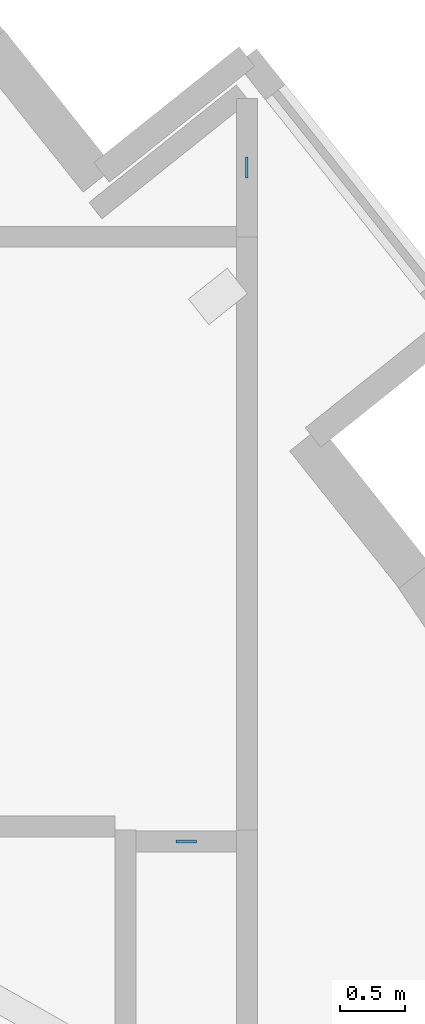
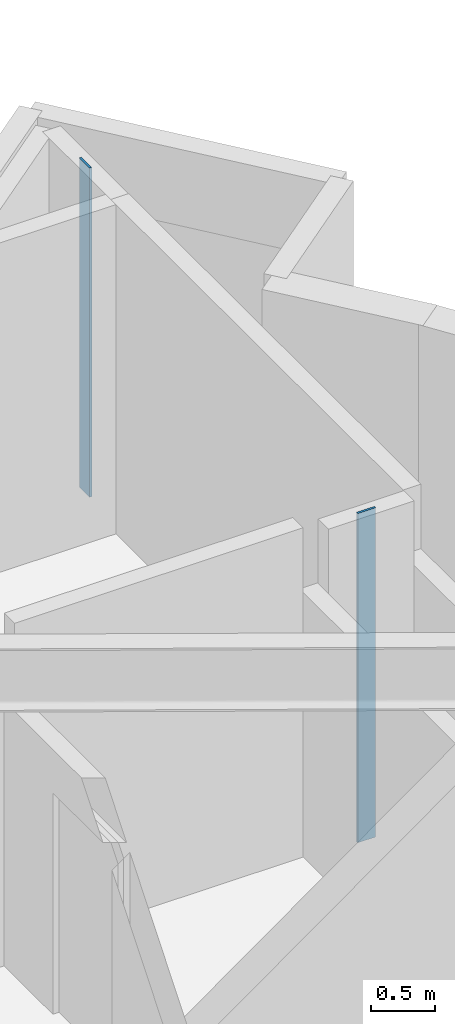
# One storey, part 6 of 14: 2 plates.
"""IFC4 building model written with IfcOpenShell, lengths in metres."""

from ifc_helpers import new_model, si_unit, direction, frame, origin, origin_2d, place, context, subcontext, project, spatial, rectangle, extrude, material, layer, layer_set, type_object, element, save


model = new_model("IFC4")

# Units and contexts
model_context = context("Model", 3, precision=1e-05, world=origin(), true_north=direction((0.0, 1.0)))
body_context = subcontext(model_context, "Body", "Model", "MODEL_VIEW")
ifc_project = project(units=[si_unit("LENGTHUNIT", "METRE"), si_unit("AREAUNIT", "SQUARE_METRE"), si_unit("VOLUMEUNIT", "CUBIC_METRE"), si_unit("PLANEANGLEUNIT", "RADIAN"), si_unit("MASSUNIT", "GRAM", prefix="KILO")], contexts=[model_context])

# Site, building, storey
site_placement = place(None, origin())
site = spatial("IfcSite", under=ifc_project, at=site_placement, CompositionType="ELEMENT")
building_placement = place(site_placement, origin())
building = spatial("IfcBuilding", under=site, at=building_placement, Name="Miruveldt Soraemaru", CompositionType="ELEMENT")
storey_placement = place(building_placement, frame((0.0, 0.0, 80.199951171875)))
storey = spatial("IfcBuildingStorey", under=building, at=storey_placement, Name="L22", CompositionType="ELEMENT", Elevation=80.199951171875)

# Plates
ifc_material = material(Name="Anodised aluminium EN AW-6063 T6", Category="aluminium")
ifc_layer = layer(ifc_material, 0.02001953125, Name="Anodised aluminium EN AW-6063 T6", Category="aluminium")
ifc_layer_set = layer_set([ifc_layer], Name="Anodised aluminium EN AW-6063 T6")
plate_type = type_object("IfcPlateType", Name="PLT-PART-TRIM", PredefinedType="SHEET", material=ifc_layer_set)
for number, where, z_axis, x_axis, name in (
    (1, (53.7099609375, 65.1083984375, 0.0), (0.0, 0.0, 1.0), (0.0, 1.0, 0.0), "L22 Partition Step Corner Trim Plate 049"),
    (2, (53.2451171875, 59.94091796875, 0.0), (0.0, 0.0, 1.0), (-1.0, 0.0, 0.0), "L22 Partition Step Corner Trim Plate 041"),
):
    element("IfcPlate", number, at=place(storey_placement, frame(where, z_axis=z_axis, x_axis=x_axis)), inside=storey, type_object=plate_type, Name=name, PredefinedType="SHEET", context=body_context, shape_type="SweptSolid", body=[
        extrude(rectangle(XDim=0.159912109375, YDim=0.02001953125, at=origin_2d()), origin(), (0.0, 0.0, 1.0), 3.125),
    ])

save(model, "model.ifc")
